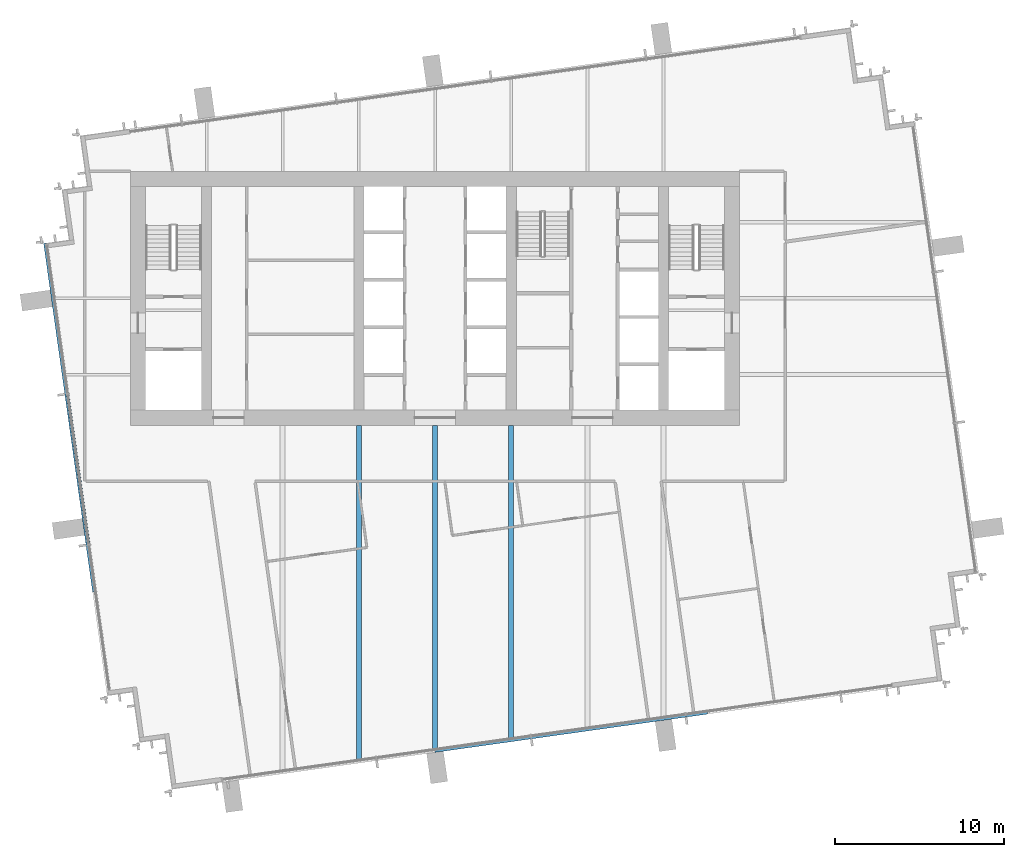
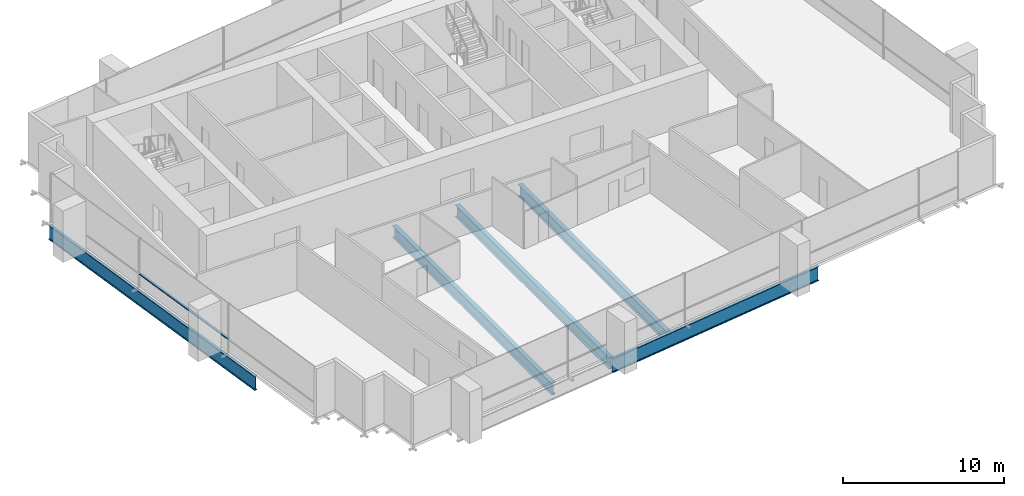
# One storey, part 3 of 13: 5 beams, 1 member, 1 element without a shape of its own.
"""IFC4 building model written with IfcOpenShell, lengths in metres."""

from ifc_helpers import new_model, si_unit, direction, frame, origin, origin_2d, place, context, subcontext, project, spatial, rectangle, i_section, extrude, material, layer, layer_set, material_profile, profile_set, type_object, element, aggregate, save


model = new_model("IFC4")

# Units and contexts
model_context = context("Model", 3, precision=1e-05, world=origin(), true_north=direction((0.0, 1.0)))
body_context = subcontext(model_context, "Body", "Model", "MODEL_VIEW")
ifc_project = project(units=[si_unit("LENGTHUNIT", "METRE"), si_unit("AREAUNIT", "SQUARE_METRE"), si_unit("VOLUMEUNIT", "CUBIC_METRE"), si_unit("PLANEANGLEUNIT", "RADIAN"), si_unit("MASSUNIT", "GRAM", prefix="KILO")], contexts=[model_context])

# Site, building, storey
site_placement = place(None, origin())
site = spatial("IfcSite", under=ifc_project, at=site_placement, CompositionType="ELEMENT")
building_placement = place(site_placement, origin())
building = spatial("IfcBuilding", under=site, at=building_placement, Name="Rattan Terrace Tower", CompositionType="ELEMENT")
storey_placement = place(building_placement, frame((0.0, 0.0, 217.39990234375)))
storey = spatial("IfcBuildingStorey", under=building, at=storey_placement, Name="L49", CompositionType="ELEMENT", Elevation=217.39990234375)

# Beams
ifc_material_1 = material(Name="Steel S460", Category="steel")
ifc_material_profile_1 = material_profile(ifc_material_1, i_section(OverallWidth=0.179931640625, OverallDepth=1.10009765625, WebThickness=0.01611328125, FlangeThickness=0.050048828125, at=origin_2d()), Name="PG 1100x180-16-50")
ifc_profile_set_1 = profile_set([ifc_material_profile_1], Name="Steel S460")
beam_type_1 = type_object("IfcBeamType", Name="Frame edge girder PG 1100x180-16-50", PredefinedType="SPANDREL", material=ifc_profile_set_1)
beam_1_placement = place(storey_placement, frame((16.0859375, -24.472900390625, -0.75), z_axis=(-0.990262693422, -0.139211342989, 0.0), x_axis=(0.139211342989, -0.990262693422, 0.0)))
element("IfcBeam", 1, at=beam_1_placement, inside=storey, type_object=beam_type_1, Name="gdr-L49-002", PredefinedType="SPANDREL", context=body_context, shape_type="SweptSolid", body=[
    extrude(i_section(OverallWidth=0.179931640625, OverallDepth=1.10009765625, WebThickness=0.01611328125, FlangeThickness=0.050048828125, at=origin_2d()), origin(), (0.0, 0.0, 1.0), 16.257080078125),
])
beam_2_placement = place(storey_placement, frame((-20.14111328125, -17.347900390625, -0.75), z_axis=(-0.139141602152, 0.9902724951, 0.0), x_axis=(-0.9902724951, -0.139141602152, 0.0)))
element("IfcBeam", 2, at=beam_2_placement, inside=storey, type_object=beam_type_1, Name="gdr-L49-003", PredefinedType="SPANDREL", context=body_context, shape_type="SweptSolid", body=[
    extrude(i_section(OverallWidth=0.179931640625, OverallDepth=1.10009765625, WebThickness=0.01611328125, FlangeThickness=0.050048828125, at=origin_2d()), origin(), (0.0, 0.0, 1.0), 20.813232421875),
])
ifc_material_2 = material(Name="Steel S355", Category="steel")
ifc_material_profile_2 = material_profile(ifc_material_2, i_section(OverallWidth=0.300048828125, OverallDepth=0.89990234375, WebThickness=0.0185546875, FlangeThickness=0.034912109375, FilletRadius=0.030029296875, at=origin_2d()), Name="HE 900 B")
ifc_profile_set_2 = profile_set([ifc_material_profile_2], Name="Steel S355")
beam_type_2 = type_object("IfcBeamType", Name="Frame floor beam HE 900 B", PredefinedType="JOIST", material=ifc_profile_set_2)
beam_3_placement = place(storey_placement, frame((4.5, -25.989990234375, -0.64990234375), z_axis=(0.0, 1.0, 0.0), x_axis=(-1.0, 0.0, 0.0)))
element("IfcBeam", 3, at=beam_3_placement, inside=storey, type_object=beam_type_2, Name="bm-L49-006", PredefinedType="JOIST", context=body_context, shape_type="SweptSolid", body=[
    extrude(i_section(OverallWidth=0.300048828125, OverallDepth=0.89990234375, WebThickness=0.0185546875, FlangeThickness=0.034912109375, FilletRadius=0.030029296875, at=origin_2d()), origin(), (0.0, 0.0, 1.0), 18.489990234375),
])
ifc_material_3 = material(Name="Steel S460", Category="steel")
ifc_material_profile_3 = material_profile(ifc_material_3, i_section(OverallWidth=0.300048828125, OverallDepth=0.89990234375, WebThickness=0.013916015625, FlangeThickness=0.035888671875, at=origin_2d()), Name="PG 900x300-14-36")
ifc_profile_set_3 = profile_set([ifc_material_profile_3], Name="Steel S460")
beam_type_3 = type_object("IfcBeamType", Name="Frame floor beam PG 900x300-14-36", PredefinedType="JOIST", material=ifc_profile_set_3)
beam_4_placement = place(storey_placement, frame((-4.5, -27.2548828125, -0.64990234375), z_axis=(0.0, 1.0, 0.0), x_axis=(-1.0, 0.0, 0.0)))
element("IfcBeam", 4, at=beam_4_placement, inside=storey, type_object=beam_type_3, Name="bm-L49-004", PredefinedType="JOIST", context=body_context, shape_type="SweptSolid", body=[
    extrude(i_section(OverallWidth=0.300048828125, OverallDepth=0.89990234375, WebThickness=0.013916015625, FlangeThickness=0.035888671875, at=origin_2d()), origin(), (0.0, 0.0, 1.0), 19.7548828125),
])
beam_5_placement = place(storey_placement, frame((0.0, -26.6220703125, -0.64990234375), z_axis=(0.0, 1.0, 0.0), x_axis=(-1.0, 0.0, 0.0)))
element("IfcBeam", 5, at=beam_5_placement, inside=storey, type_object=beam_type_3, Name="bm-L49-005", PredefinedType="JOIST", context=body_context, shape_type="SweptSolid", body=[
    extrude(i_section(OverallWidth=0.300048828125, OverallDepth=0.89990234375, WebThickness=0.013916015625, FlangeThickness=0.035888671875, at=origin_2d()), origin(), (0.0, 0.0, 1.0), 19.1220703125),
])

# Curtain wall, member
ifc_material_4 = material(Name="Aluminium and laminated glass", Category="aluminium")
ifc_layer = layer(ifc_material_4, 0.199951171875)
ifc_layer_set = layer_set([ifc_layer], Name="High-Zone Unitised Curtain Wall")
curtain_wall_type = type_object("IfcCurtainWallType", Name="High-Zone Unitised Curtain Wall", PredefinedType="NOTDEFINED", material=ifc_layer_set)
curtain_wall_placement = place(storey_placement, origin())
curtain_wall = element("IfcCurtainWall", 6, at=curtain_wall_placement, inside=storey, type_object=curtain_wall_type, Name="High-zone curtain wall L49-3", PredefinedType="NOTDEFINED")
ifc_material_5 = material(Name="Aluminium", Category="aluminium")
ifc_material_profile_4 = material_profile(ifc_material_5, rectangle(XDim=0.159912109375, YDim=0.070068359375, at=origin_2d()), Name="Aluminium 160x70")
ifc_profile_set_4 = profile_set([ifc_material_profile_4], Name="Aluminium")
member_type = type_object("IfcMemberType", Name="High-Zone CW Transom 160x70", PredefinedType="USERDEFINED", material=ifc_profile_set_4)
member_placement = place(storey_placement, frame((-21.7001953125, -5.67333984375, 1.0), z_axis=(0.139185713085, -0.990266296141, 0.0), x_axis=(0.990266296141, 0.139185713085, 0.0)))
member = element("IfcMember", 7, at=member_placement, type_object=member_type, Name="Transom cwl-L49-003.2", ObjectType="TRANSOM", PredefinedType="USERDEFINED", context=body_context, shape_type="SweptSolid", body=[
    extrude(rectangle(XDim=0.159912109375, YDim=0.070068359375, at=origin_2d()), origin(), (0.0, 0.0, 1.0), 8.929931640625),
])
aggregate(curtain_wall, [member])

save(model, "model.ifc")
